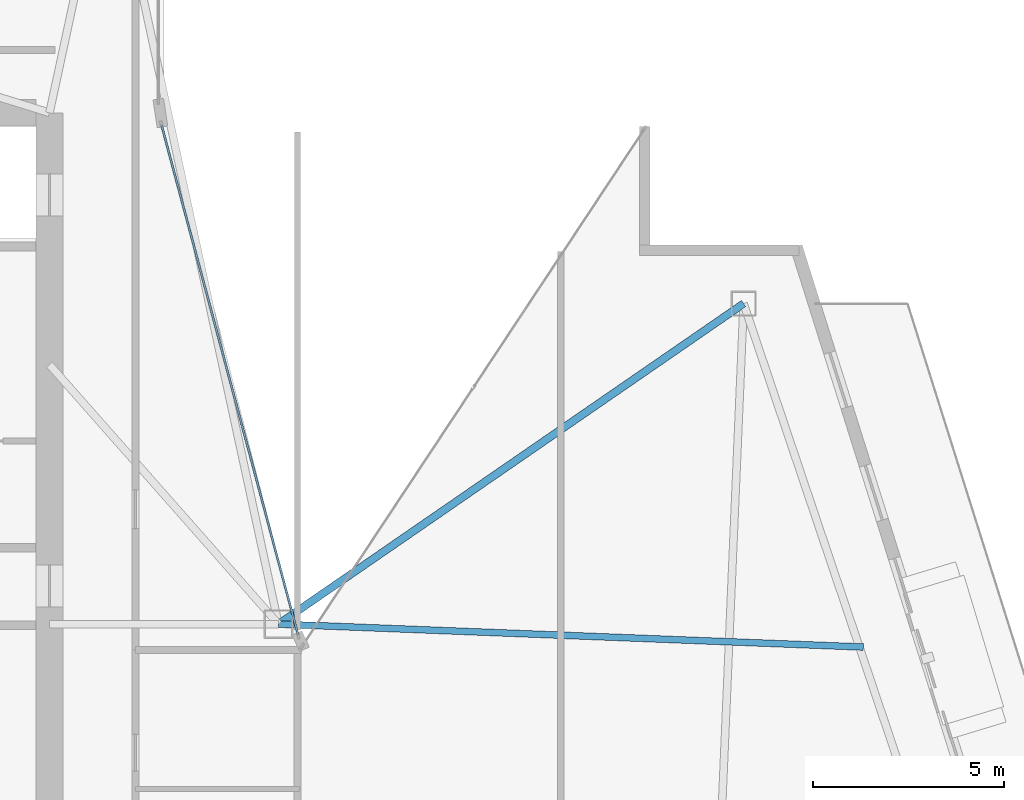
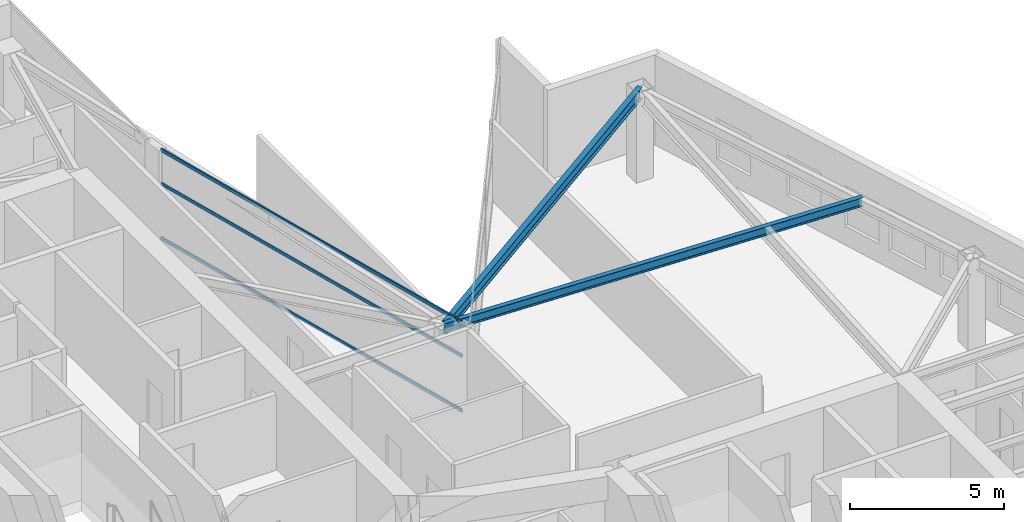
# One storey, part 12 of 28: 3 members, 2 beams, 1 element without a shape of its own.
"""IFC4 building model written with IfcOpenShell, lengths in metres."""

from ifc_helpers import new_model, si_unit, direction, frame, origin, origin_2d, place, context, subcontext, project, spatial, hollow_rectangle, i_section, extrude, material, layer, layer_set, material_profile, profile_set, type_object, element, aggregate, save


model = new_model("IFC4")

# Units and contexts
model_context = context("Model", 3, precision=1e-05, world=origin(), true_north=direction((0.0, 1.0)))
body_context = subcontext(model_context, "Body", "Model", "MODEL_VIEW")
ifc_project = project(units=[si_unit("LENGTHUNIT", "METRE"), si_unit("AREAUNIT", "SQUARE_METRE"), si_unit("VOLUMEUNIT", "CUBIC_METRE"), si_unit("PLANEANGLEUNIT", "RADIAN"), si_unit("MASSUNIT", "GRAM", prefix="KILO")], contexts=[model_context])

# Site, building, storey
site_placement = place(None, origin())
site = spatial("IfcSite", under=ifc_project, at=site_placement, CompositionType="ELEMENT")
building_placement = place(site_placement, origin())
building = spatial("IfcBuilding", under=site, at=building_placement, Name="Calvorn Quay Hotel", CompositionType="ELEMENT")
storey_placement = place(building_placement, frame((0.0, 0.0, 263.5)))
storey = spatial("IfcBuildingStorey", under=building, at=storey_placement, Name="L65", CompositionType="ELEMENT", Elevation=263.5)

# Beams
ifc_material_1 = material(Name="Steel Q355B", Category="steel")
ifc_material_profile_1 = material_profile(ifc_material_1, i_section(OverallWidth=0.175048828125, OverallDepth=0.35009765625, WebThickness=0.007080078125, FlangeThickness=0.010986328125, FilletRadius=0.013916015625, at=origin_2d()), Name="HN350x175x7x11")
ifc_profile_set_1 = profile_set([ifc_material_profile_1], Name="Steel Q355B")
beam_type_1 = type_object("IfcBeamType", Name="BM-JOIST-SEC", PredefinedType="JOIST", material=ifc_profile_set_1)
beam_1_placement = place(storey_placement, frame((21.0, 25.0, 3.364990234375), z_axis=(0.999234392811, -0.039123244039, 0.0), x_axis=(0.039123244039, 0.999234392811, 0.0)))
element("IfcBeam", 1, at=beam_1_placement, inside=storey, type_object=beam_type_1, Name="Beam BJ-L65-E3", PredefinedType="JOIST", context=body_context, shape_type="SweptSolid", body=[
    extrude(i_section(OverallWidth=0.175048828125, OverallDepth=0.35009765625, WebThickness=0.007080078125, FlangeThickness=0.010986328125, FilletRadius=0.013916015625, at=origin_2d()), origin(), (0.0, 0.0, 1.0), 15.338623046875),
])
ifc_material_2 = material(Name="Steel Q355B", Category="steel")
ifc_material_profile_2 = material_profile(ifc_material_2, i_section(OverallWidth=0.199951171875, OverallDepth=0.449951171875, WebThickness=0.009033203125, FlangeThickness=0.013916015625, FilletRadius=0.01611328125, at=origin_2d()), Name="HN450x200x9x14")
ifc_profile_set_2 = profile_set([ifc_material_profile_2], Name="Steel Q355B")
beam_type_2 = type_object("IfcBeamType", Name="BM-SPANDREL-Z3", PredefinedType="SPANDREL", material=ifc_profile_set_2)
beam_2_placement = place(storey_placement, frame((33.19091796875, 33.39990234375, 3.31494140625), z_axis=(-0.823453496714, -0.567383766731, 0.0), x_axis=(0.567383766731, -0.823453496714, 0.0)))
element("IfcBeam", 2, at=beam_2_placement, inside=storey, type_object=beam_type_2, Name="Beam BSP-L65-E3", PredefinedType="SPANDREL", context=body_context, shape_type="SweptSolid", body=[
    extrude(i_section(OverallWidth=0.199951171875, OverallDepth=0.449951171875, WebThickness=0.009033203125, FlangeThickness=0.013916015625, FilletRadius=0.01611328125, at=origin_2d()), origin(), (0.0, 0.0, 1.0), 14.8046875),
])

# Curtain wall, members
ifc_material_3 = material(Name="Champagne Bronze Anodised Aluminium and Low-E Glass", Category="aluminium")
ifc_layer = layer(ifc_material_3, 0.219970703125)
ifc_layer_set = layer_set([ifc_layer], Name="CW-SYS-Z4")
curtain_wall_type = type_object("IfcCurtainWallType", Name="CW-SYS-Z4", PredefinedType="NOTDEFINED", material=ifc_layer_set)
curtain_wall_placement = place(storey_placement, origin())
curtain_wall = element("IfcCurtainWall", 3, at=curtain_wall_placement, inside=storey, type_object=curtain_wall_type, Name="Inner Court Curtain Wall L65-IC1", PredefinedType="NOTDEFINED")
ifc_material_4 = material(Name="Champagne Bronze Anodised Aluminium 6063-T6", Category="aluminium")
ifc_material_profile_3 = material_profile(ifc_material_4, hollow_rectangle(XDim=0.054931640625, YDim=0.1298828125, WallThickness=0.003173828125, at=origin_2d()), Name="ALU-T130x55x3.2")
ifc_profile_set_3 = profile_set([ifc_material_profile_3], Name="Champagne Bronze Anodised Aluminium 6063-T6")
member_type = type_object("IfcMemberType", Name="CW-SYS-Z4-TRN", PredefinedType="USERDEFINED", material=ifc_profile_set_3)
member_1_placement = place(storey_placement, frame((21.512451171875, 24.72802734375, 0.030029296875), z_axis=(-0.258781136883, 0.965935982969, 0.0), x_axis=(-0.965935982969, -0.258781136883, 0.0)))
member_1 = element("IfcMember", 4, at=member_1_placement, type_object=member_type, Name="CW-L65-IC1 transom 1.1", ObjectType="TRANSOM", PredefinedType="USERDEFINED", context=body_context, shape_type="SweptSolid", body=[
    extrude(hollow_rectangle(XDim=0.054931640625, YDim=0.1298828125, WallThickness=0.003173828125, at=origin_2d()), origin(), (0.0, 0.0, 1.0), 13.814453125),
])
member_2_placement = place(storey_placement, frame((21.512451171875, 24.72802734375, 2.199951171875), z_axis=(-0.258781136883, 0.965935982969, 0.0), x_axis=(-0.965935982969, -0.258781136883, 0.0)))
member_2 = element("IfcMember", 5, at=member_2_placement, type_object=member_type, Name="CW-L65-IC1 transom 1.2", ObjectType="TRANSOM", PredefinedType="USERDEFINED", context=body_context, shape_type="SweptSolid", body=[
    extrude(hollow_rectangle(XDim=0.054931640625, YDim=0.1298828125, WallThickness=0.003173828125, at=origin_2d()), origin(), (0.0, 0.0, 1.0), 13.814453125),
])
member_3_placement = place(storey_placement, frame((21.512451171875, 24.72802734375, 3.530029296875), z_axis=(-0.258781136883, 0.965935982969, 0.0), x_axis=(-0.965935982969, -0.258781136883, 0.0)))
member_3 = element("IfcMember", 6, at=member_3_placement, type_object=member_type, Name="CW-L65-IC1 transom 1.3", ObjectType="TRANSOM", PredefinedType="USERDEFINED", context=body_context, shape_type="SweptSolid", body=[
    extrude(hollow_rectangle(XDim=0.054931640625, YDim=0.1298828125, WallThickness=0.003173828125, at=origin_2d()), origin(), (0.0, 0.0, 1.0), 13.814453125),
])
aggregate(curtain_wall, [member_1, member_2, member_3])

save(model, "model.ifc")
